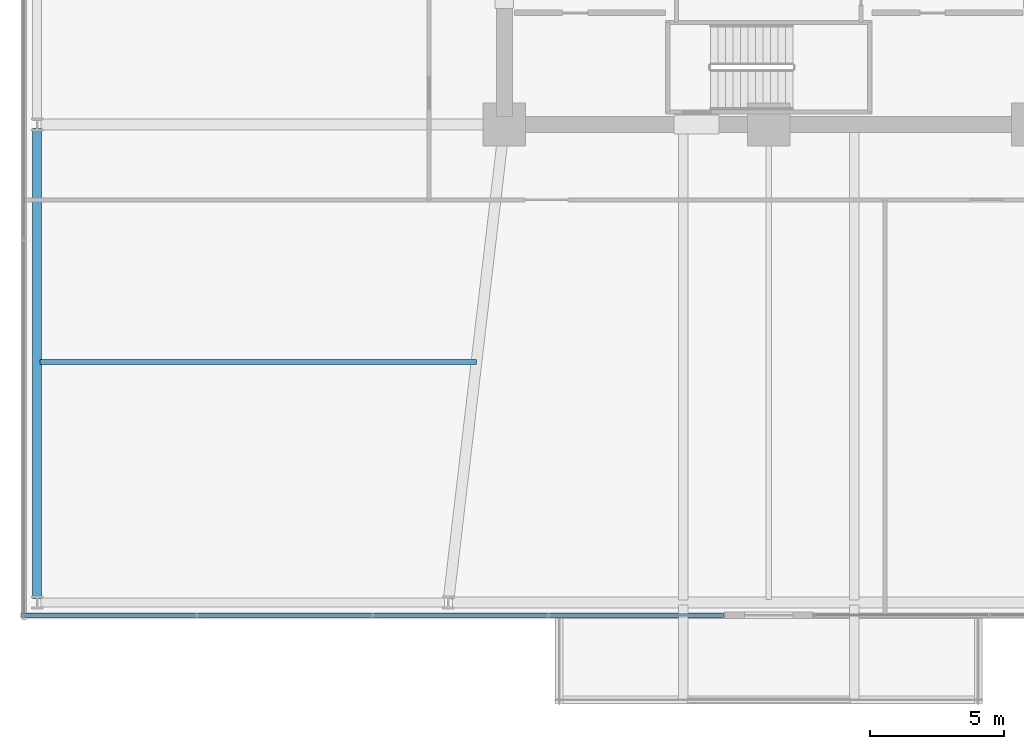
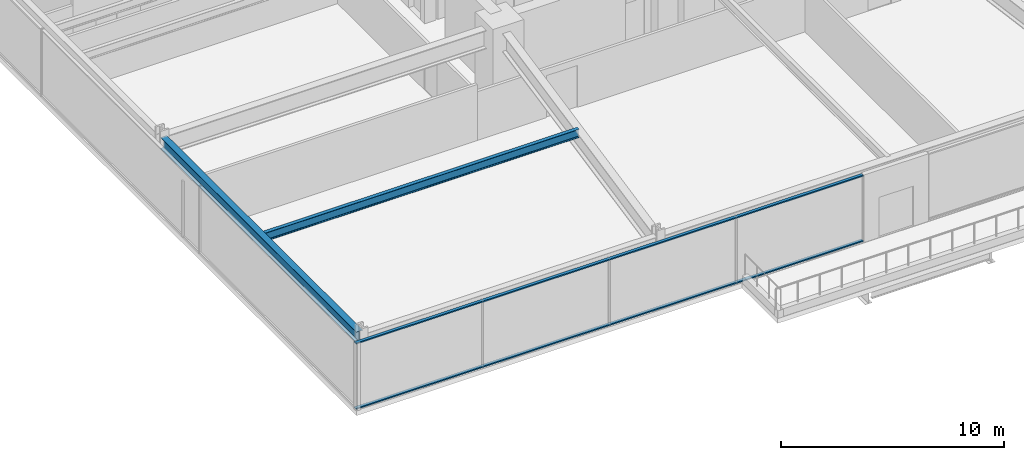
# One storey, part 4 of 39: 2 beams, 2 members, 1 element without a shape of its own.
"""IFC4 building model written with IfcOpenShell, lengths in metres."""

from ifc_helpers import new_model, si_unit, direction, frame, origin, origin_2d, place, context, subcontext, project, spatial, hollow_rectangle, i_section, extrude, material, material_profile, profile_set, type_object, element, aggregate, save


model = new_model("IFC4")

# Units and contexts
model_context = context("Model", 3, precision=1e-05, world=origin(), true_north=direction((0.0, 1.0)))
body_context = subcontext(model_context, "Body", "Model", "MODEL_VIEW")
ifc_project = project(units=[si_unit("LENGTHUNIT", "METRE"), si_unit("AREAUNIT", "SQUARE_METRE"), si_unit("VOLUMEUNIT", "CUBIC_METRE"), si_unit("PLANEANGLEUNIT", "RADIAN"), si_unit("MASSUNIT", "GRAM", prefix="KILO")], contexts=[model_context])

# Site, building, storey
site_placement = place(None, origin())
site = spatial("IfcSite", under=ifc_project, at=site_placement, CompositionType="ELEMENT")
building_placement = place(site_placement, origin())
building = spatial("IfcBuilding", under=site, at=building_placement, Name="Kolvaren Belvedere", CompositionType="ELEMENT")
storey_placement = place(building_placement, frame((0.0, 0.0, 15.199951171875)))
storey = spatial("IfcBuildingStorey", under=building, at=storey_placement, Name="L04", CompositionType="ELEMENT", Elevation=15.199951171875)

# Beams
ifc_material_1 = material(Name="Structural steel ASTM A992 Grade 50", Category="steel")
ifc_material_profile_1 = material_profile(ifc_material_1, i_section(OverallWidth=0.19091796875, OverallDepth=0.4599609375, WebThickness=0.010009765625, FlangeThickness=0.01611328125, FilletRadius=0.014892578125, at=origin_2d()), Name="W18X55")
ifc_profile_set_1 = profile_set([ifc_material_profile_1], Name="Structural steel ASTM A992 Grade 50")
beam_type_1 = type_object("IfcBeamType", Name="BM-JOIST-W18X55", PredefinedType="BEAM", material=ifc_profile_set_1)
beam_1_placement = place(storey_placement, frame((-27.280029296875, -18.800048828125, 3.469970703125), z_axis=(1.0, 0.0, 0.0), x_axis=(0.0, 1.0, 0.0)))
element("IfcBeam", 1, at=beam_1_placement, inside=storey, type_object=beam_type_1, Name="L04 West Bay Floor Beam", PredefinedType="BEAM", context=body_context, shape_type="SweptSolid", body=[
    extrude(i_section(OverallWidth=0.19091796875, OverallDepth=0.4599609375, WebThickness=0.010009765625, FlangeThickness=0.01611328125, FilletRadius=0.014892578125, at=origin_2d()), origin(), (0.0, 0.0, 1.0), 16.340087890625),
])
ifc_material_2 = material(Name="Structural steel ASTM A992 Grade 50", Category="steel")
ifc_material_profile_2 = material_profile(ifc_material_2, i_section(OverallWidth=0.324951171875, OverallDepth=0.615966796875, WebThickness=0.013916015625, FlangeThickness=0.021484375, FilletRadius=0.02001953125, at=origin_2d()), Name="W24X117")
ifc_profile_set_2 = profile_set([ifc_material_profile_2], Name="Structural steel ASTM A992 Grade 50")
beam_type_2 = type_object("IfcBeamType", Name="BM-SPAN-W24X117", PredefinedType="SPANDREL", material=ifc_profile_set_2)
beam_2_placement = place(storey_placement, frame((-27.39990234375, -27.64990234375, 3.39208984375), z_axis=(0.0, 1.0, 0.0), x_axis=(-1.0, 0.0, 0.0)))
element("IfcBeam", 2, at=beam_2_placement, inside=storey, type_object=beam_type_2, Name="L04 W Podium Spandrel 1", PredefinedType="SPANDREL", context=body_context, shape_type="SweptSolid", body=[
    extrude(i_section(OverallWidth=0.324951171875, OverallDepth=0.615966796875, WebThickness=0.013916015625, FlangeThickness=0.021484375, FilletRadius=0.02001953125, at=origin_2d()), origin(), (0.0, 0.0, 1.0), 17.599853515625),
])

# Curtain wall, members
ifc_material_3 = material(Name="Anodised pale-metal aluminium AA 6063-T6", Category="aluminium")
curtain_wall_type = type_object("IfcCurtainWallType", Name="CW-POD-A", PredefinedType="NOTDEFINED", material=ifc_material_3)
curtain_wall_placement = place(storey_placement, origin())
curtain_wall = element("IfcCurtainWall", 3, at=curtain_wall_placement, inside=storey, type_object=curtain_wall_type, Name="L04 Unitised Curtain Wall FCW-L04-S2", PredefinedType="NOTDEFINED")
ifc_material_4 = material(Name="Anodised pale-metal aluminium AA 6063-T6", Category="aluminium")
ifc_material_profile_3 = material_profile(ifc_material_4, hollow_rectangle(XDim=0.06494140625, YDim=0.159912109375, WallThickness=0.00390625, at=origin_2d()), Name="ALU-TRN-160X65")
ifc_profile_set_3 = profile_set([ifc_material_profile_3], Name="Anodised pale-metal aluminium AA 6063-T6")
member_type = type_object("IfcMemberType", Name="CW-TRN-160", PredefinedType="USERDEFINED", material=ifc_profile_set_3)
member_1_placement = place(storey_placement, frame((-1.679931640625, -28.280029296875, 0.06005859375), z_axis=(-1.0, 0.0, 0.0), x_axis=(0.0, 0.0, 1.0)))
member_1 = element("IfcMember", 4, at=member_1_placement, type_object=member_type, Name="FCW-L04-S2 Sill Transom", ObjectType="TRANSOM", PredefinedType="USERDEFINED", context=body_context, shape_type="SweptSolid", body=[
    extrude(hollow_rectangle(XDim=0.06494140625, YDim=0.159912109375, WallThickness=0.00390625, at=origin_2d()), origin(), (0.0, 0.0, 1.0), 26.320068359375),
])
member_2_placement = place(storey_placement, frame((-1.679931640625, -28.280029296875, 3.64013671875), z_axis=(-1.0, 0.0, 0.0), x_axis=(0.0, 0.0, 1.0)))
member_2 = element("IfcMember", 5, at=member_2_placement, type_object=member_type, Name="FCW-L04-S2 Head Transom", ObjectType="TRANSOM", PredefinedType="USERDEFINED", context=body_context, shape_type="SweptSolid", body=[
    extrude(hollow_rectangle(XDim=0.06494140625, YDim=0.159912109375, WallThickness=0.00390625, at=origin_2d()), origin(), (0.0, 0.0, 1.0), 26.320068359375),
])
aggregate(curtain_wall, [member_1, member_2])

save(model, "model.ifc")
